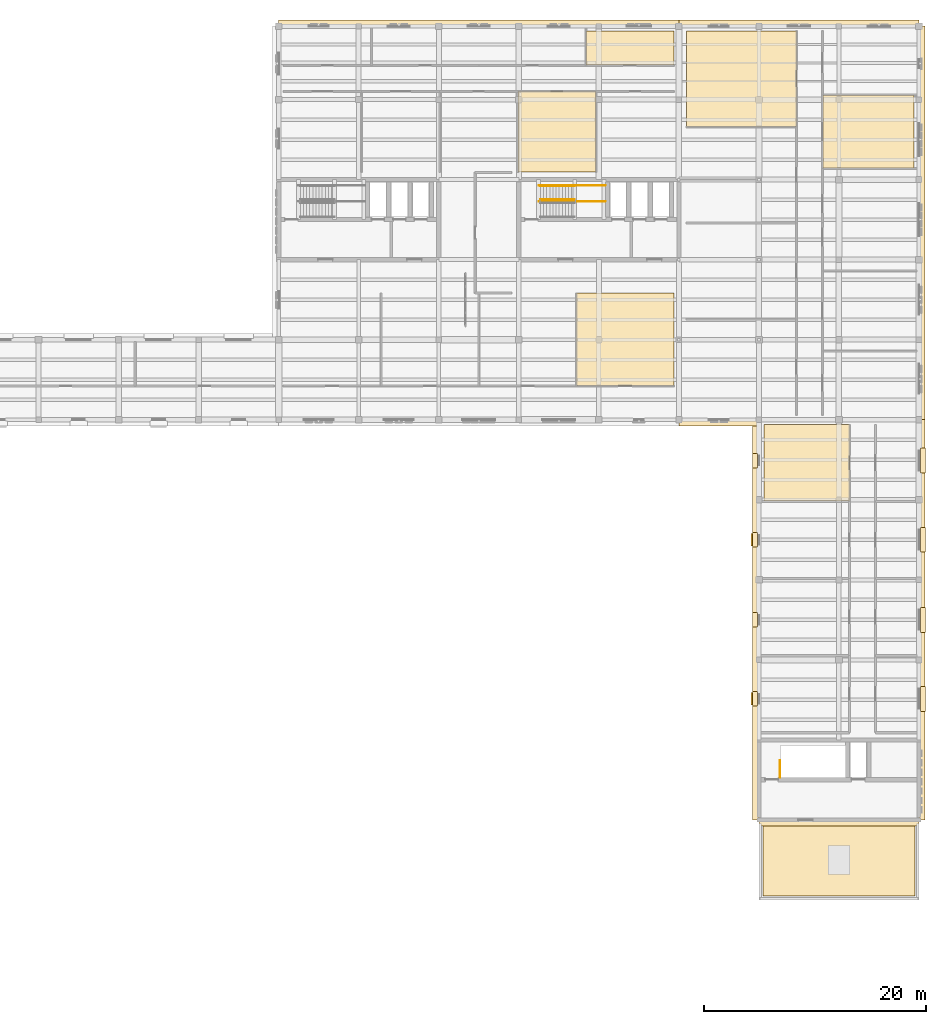
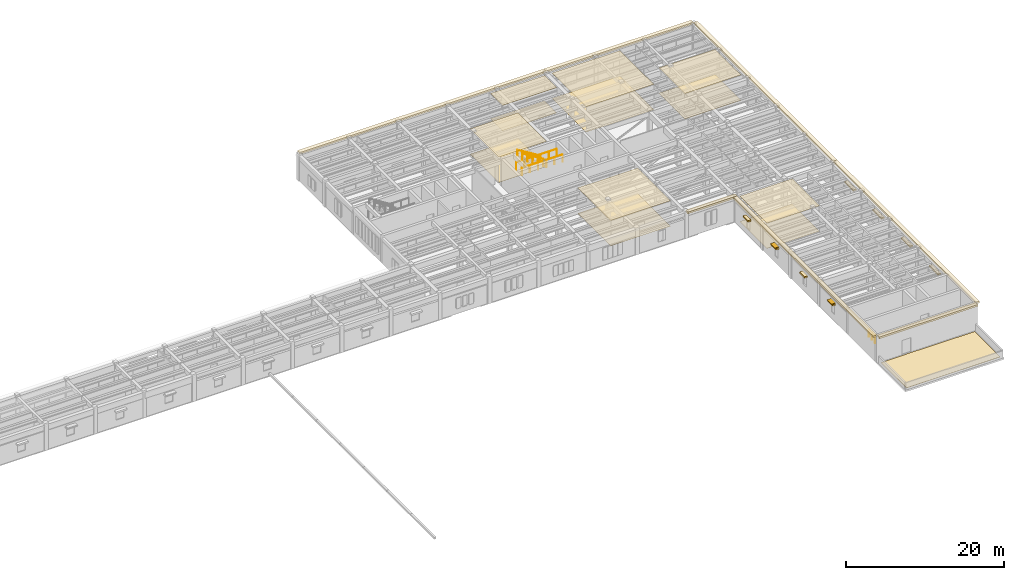
# One storey, part 27 of 27: 28 coverings, 5 railings, 2 shading devices.
"""IFC4 building model written with IfcOpenShell, lengths in metres."""

from ifc_helpers import new_model, si_unit, direction, frame, origin, origin_2d, place, context, subcontext, project, spatial, polyline, rectangle, circle, outline, extrude, material, layer, layer_set, type_object, element, save


model = new_model("IFC4")

# Units and contexts
model_context = context("Model", 3, precision=1e-05, world=origin(), true_north=direction((0.0, 1.0)))
body_context = subcontext(model_context, "Body", "Model", "MODEL_VIEW")
ifc_project = project(units=[si_unit("LENGTHUNIT", "METRE"), si_unit("AREAUNIT", "SQUARE_METRE"), si_unit("VOLUMEUNIT", "CUBIC_METRE"), si_unit("PLANEANGLEUNIT", "RADIAN"), si_unit("MASSUNIT", "GRAM", prefix="KILO")], contexts=[model_context])

# Site, building, storey
site_placement = place(None, origin())
site = spatial("IfcSite", under=ifc_project, at=site_placement, CompositionType="ELEMENT")
building_placement = place(site_placement, origin())
building = spatial("IfcBuilding", under=site, at=building_placement, Name="Mithqara Police Headquarters", CompositionType="ELEMENT")
storey_placement = place(building_placement, frame((0.0, 0.0, 18.0)))
storey = spatial("IfcBuildingStorey", under=building, at=storey_placement, Name="L04", CompositionType="ELEMENT", Elevation=18.0)

# Coverings
ifc_material_1 = material(Name="Acoustic mineral-fibre ceiling tile", Category="gypsum")
ifc_layer_1 = layer(ifc_material_1, 0.02490234375, Name="Acoustic mineral-fibre ceiling tile")
ifc_layer_set_1 = layer_set([ifc_layer_1], Name="Acoustic mineral-fibre ceiling tile")
covering_type_1 = type_object("IfcCoveringType", Name="ACOUSTIC CEILING TILE", PredefinedType="CEILING", material=ifc_layer_set_1)
covering_1_placement = place(storey_placement, frame((0.0, 0.0, 3.9150390625)))
element("IfcCovering", 1, at=covering_1_placement, inside=storey, type_object=covering_type_1, Name="Forensic Accounting Room Acoustic Ceiling", PredefinedType="CEILING", context=body_context, shape_type="SweptSolid", body=[
    extrude(outline(polyline([(130.135986328125, 100.8701171875), (137.1279296875, 100.8701171875), (137.1279296875, 108.1201171875), (130.135986328125, 108.1201171875), (130.135986328125, 100.8701171875)])), origin(), (0.0, 0.0, 1.0), 0.02490234375),
])
covering_2_placement = place(storey_placement, frame((0.0, 0.0, 3.9150390625)))
element("IfcCovering", 2, at=covering_2_placement, inside=storey, type_object=covering_type_1, Name="Financial Crime Investigation Office Acoustic Ceiling", PredefinedType="CEILING", context=body_context, shape_type="SweptSolid", body=[
    extrude(outline(polyline([(136.260009765625, 110.5), (144.159912109375, 110.5), (144.159912109375, 113.56005859375), (136.260009765625, 113.56005859375), (136.260009765625, 110.5)])), origin(), (0.0, 0.0, 1.0), 0.02490234375),
])
covering_3_placement = place(storey_placement, frame((0.0, 0.0, 3.9150390625)))
element("IfcCovering", 3, at=covering_3_placement, inside=storey, type_object=covering_type_1, Name="Forensic Accounting Room Acoustic Ceiling", PredefinedType="CEILING", context=body_context, shape_type="SweptSolid", body=[
    extrude(outline(polyline([(135.409912109375, 81.659912109375), (144.159912109375, 81.659912109375), (144.159912109375, 89.97998046875), (135.409912109375, 89.97998046875), (135.409912109375, 81.659912109375)])), origin(), (0.0, 0.0, 1.0), 0.02490234375),
])
covering_4_placement = place(storey_placement, frame((0.0, 0.0, 3.9150390625)))
element("IfcCovering", 4, at=covering_4_placement, inside=storey, type_object=covering_type_1, Name="Female Staff WC Acoustic Ceiling", PredefinedType="CEILING", context=body_context, shape_type="SweptSolid", body=[
    extrude(outline(polyline([(145.27001953125, 104.9599609375), (155.175048828125, 104.9599609375), (155.175048828125, 113.56005859375), (145.27001953125, 113.56005859375), (145.27001953125, 104.9599609375)])), origin(), (0.0, 0.0, 1.0), 0.02490234375),
])
covering_5_placement = place(storey_placement, frame((0.0, 0.0, 3.9150390625)))
element("IfcCovering", 5, at=covering_5_placement, inside=storey, type_object=covering_type_1, Name="Female Staff WC Acoustic Ceiling", PredefinedType="CEILING", context=body_context, shape_type="SweptSolid", body=[
    extrude(outline(polyline([(157.554931640625, 101.22998046875), (165.760009765625, 101.22998046875), (165.760009765625, 107.800048828125), (157.554931640625, 107.800048828125), (157.554931640625, 101.22998046875)])), origin(), (0.0, 0.0, 1.0), 0.02490234375),
])
covering_6_placement = place(storey_placement, frame((0.0, 0.0, 3.9150390625)))
element("IfcCovering", 6, at=covering_6_placement, inside=storey, type_object=covering_type_1, Name="Spectrometry Room Acoustic Ceiling", PredefinedType="CEILING", context=body_context, shape_type="SweptSolid", body=[
    extrude(outline(polyline([(152.239990234375, 71.26806640625), (159.929931640625, 71.26806640625), (159.929931640625, 78.159912109375), (152.239990234375, 78.159912109375), (152.239990234375, 71.26806640625)])), origin(), (0.0, 0.0, 1.0), 0.02490234375),
])
ifc_material_2 = material(Name="Limestone ashlar masonry, 45 MPa", Category="masonry")
ifc_layer_2 = layer(ifc_material_2, 0.320068359375, Name="Limestone ashlar masonry, 45 MPa")
ifc_layer_set_2 = layer_set([ifc_layer_2], Name="Limestone ashlar masonry, 45 MPa")
covering_type_2 = type_object("IfcCoveringType", Name="CORNICE LIMESTONE", PredefinedType="CLADDING", material=ifc_layer_set_2)
covering_7_placement = place(storey_placement, frame((151.52001953125, 60.60009765625, 3.919921875), z_axis=(0.0, 0.0, 1.0), x_axis=(0.0, 1.0, 0.0)))
element("IfcCovering", 7, at=covering_7_placement, inside=storey, type_object=covering_type_2, Name="L04 Projecting Ottoman Limestone Eaves Cornice 1", PredefinedType="CLADDING", context=body_context, shape_type="SweptSolid", body=[
    extrude(rectangle(XDim=36.0, YDim=0.56005859375, at=origin_2d()), origin(), (0.0, 0.0, 1.0), 0.280029296875),
])
covering_8_placement = place(storey_placement, frame((159.0, 42.320068359375, 3.919921875), z_axis=(0.0, 0.0, 1.0), x_axis=(1.0, 0.0, 0.0)))
element("IfcCovering", 8, at=covering_8_placement, inside=storey, type_object=covering_type_2, Name="L04 Projecting Ottoman Limestone Eaves Cornice 2", PredefinedType="CLADDING", context=body_context, shape_type="SweptSolid", body=[
    extrude(rectangle(XDim=14.39990234375, YDim=0.56005859375, at=origin_2d()), origin(), (0.0, 0.0, 1.0), 0.280029296875),
])
covering_9_placement = place(storey_placement, frame((166.47998046875, 60.60009765625, 3.919921875), z_axis=(0.0, 0.0, 1.0), x_axis=(0.0, 1.0, 0.0)))
element("IfcCovering", 9, at=covering_9_placement, inside=storey, type_object=covering_type_2, Name="L04 Projecting Ottoman Limestone Eaves Cornice 3", PredefinedType="CLADDING", context=body_context, shape_type="SweptSolid", body=[
    extrude(rectangle(XDim=36.0, YDim=0.56005859375, at=origin_2d()), origin(), (0.0, 0.0, 1.0), 0.280029296875),
])
covering_10_placement = place(storey_placement, frame((166.47998046875, 96.300048828125, 3.919921875), z_axis=(0.0, 0.0, 1.0), x_axis=(0.0, 1.0, 0.0)))
element("IfcCovering", 10, at=covering_10_placement, inside=storey, type_object=covering_type_2, Name="L04 Projecting Ottoman Limestone Eaves Cornice 4", PredefinedType="CLADDING", context=body_context, shape_type="SweptSolid", body=[
    extrude(rectangle(XDim=35.39990234375, YDim=0.56005859375, at=origin_2d()), origin(), (0.0, 0.0, 1.0), 0.280029296875),
])
covering_11_placement = place(storey_placement, frame((155.39990234375, 114.280029296875, 3.919921875), z_axis=(0.0, 0.0, 1.0), x_axis=(1.0, 0.0, 0.0)))
element("IfcCovering", 11, at=covering_11_placement, inside=storey, type_object=covering_type_2, Name="L04 Projecting Ottoman Limestone Eaves Cornice 5", PredefinedType="CLADDING", context=body_context, shape_type="SweptSolid", body=[
    extrude(rectangle(XDim=21.60009765625, YDim=0.56005859375, at=origin_2d()), origin(), (0.0, 0.0, 1.0), 0.280029296875),
])
covering_12_placement = place(storey_placement, frame((126.60009765625, 114.280029296875, 3.919921875), z_axis=(0.0, 0.0, 1.0), x_axis=(1.0, 0.0, 0.0)))
element("IfcCovering", 12, at=covering_12_placement, inside=storey, type_object=covering_type_2, Name="L04 Projecting Ottoman Limestone Eaves Cornice 6", PredefinedType="CLADDING", context=body_context, shape_type="SweptSolid", body=[
    extrude(rectangle(XDim=36.0, YDim=0.56005859375, at=origin_2d()), origin(), (0.0, 0.0, 1.0), 0.280029296875),
])
covering_13_placement = place(storey_placement, frame((148.199951171875, 78.320068359375, 3.919921875), z_axis=(0.0, 0.0, 1.0), x_axis=(1.0, 0.0, 0.0)))
element("IfcCovering", 13, at=covering_13_placement, inside=storey, type_object=covering_type_2, Name="L04 Projecting Ottoman Limestone Eaves Cornice 15", PredefinedType="CLADDING", context=body_context, shape_type="SweptSolid", body=[
    extrude(rectangle(XDim=7.199951171875, YDim=0.56005859375, at=origin_2d()), origin(), (0.0, 0.0, 1.0), 0.280029296875),
])

# Railing
ifc_material_3 = material(Name="Steel S355JR", Category="steel")
railing_type_1 = type_object("IfcRailingType", Name="HANDRAIL 920", PredefinedType="HANDRAIL", material=ifc_material_3)
railing_1_placement = place(storey_placement, frame((135.22998046875, 99.64990234375, 2.27490234375)))
element("IfcRailing", 14, at=railing_1_placement, inside=storey, type_object=railing_type_1, Name="L04 ST-02 stair handrail 2", PredefinedType="HANDRAIL", context=body_context, shape_type="SweptSolid", body=[
    extrude(circle(Radius=0.02392578125, at=origin_2d()), frame((0.0, 0.0, 0.8759765625), z_axis=(-0.847998304005, 0.0, 0.529998940003), x_axis=(0.0, -1.0, 0.0)), (0.0, 0.0, 1.0), 3.632080078125),
    extrude(circle(Radius=0.02099609375, at=origin_2d()), origin(), (0.0, 0.0, 1.0), 0.851806640625),
    extrude(circle(Radius=0.02099609375, at=origin_2d()), frame((-0.77001953125, 0.0, 0.481201171875)), (0.0, 0.0, 1.0), 0.851806640625),
    extrude(circle(Radius=0.02099609375, at=origin_2d()), frame((-1.5400390625, 0.0, 0.96240234375)), (0.0, 0.0, 1.0), 0.851806640625),
    extrude(circle(Radius=0.02099609375, at=origin_2d()), frame((-2.31005859375, 0.0, 1.44384765625)), (0.0, 0.0, 1.0), 0.851806640625),
    extrude(circle(Radius=0.02099609375, at=origin_2d()), frame((-3.080078125, 0.0, 1.925048828125)), (0.0, 0.0, 1.0), 0.851806640625),
])

# Shading devices
ifc_material_4 = material(Name="Bronze anodised aluminium 6063-T6", Category="aluminium")
shading_device_type = type_object("IfcShadingDeviceType", Name="SOLAR LOUVRE BRONZE", PredefinedType="JALOUSIE", material=ifc_material_4)
for number, where, z_axis, x_axis, name in (
    (15, (151.389892578125, 53.4951171875, 2.83984375), (0.0, 0.0, 1.0), (0.0, 1.0, 0.0), "L04 Window Solar Louvre Hood 1.1"),
    (16, (151.389892578125, 67.800048828125, 2.83984375), (0.0, 0.0, 1.0), (0.0, 1.0, 0.0), "L04 Window Solar Louvre Hood 1.3"),
):
    element("IfcShadingDevice", number, at=place(storey_placement, frame(where, z_axis=z_axis, x_axis=x_axis)), inside=storey, type_object=shading_device_type, Name=name, PredefinedType="JALOUSIE", context=body_context, shape_type="SweptSolid", body=[
        extrude(rectangle(XDim=1.14990234375, YDim=0.60009765625, at=origin_2d()), origin(), (0.0, 0.0, 1.0), 0.10009765625),
    ])

# Railings
railing_type_2 = type_object("IfcRailingType", Name="STAIR GUARD 1120", PredefinedType="GUARDRAIL", material=ifc_material_3)
railing_2_placement = place(storey_placement, frame((135.22998046875, 98.39990234375, 2.27490234375)))
element("IfcRailing", 17, at=railing_2_placement, inside=storey, type_object=railing_type_2, Name="L04 ST-02 stair guard 3", PredefinedType="GUARDRAIL", context=body_context, shape_type="SweptSolid", body=[
    extrude(circle(Radius=0.02392578125, at=origin_2d()), frame((0.0, 0.0, 1.076171875), z_axis=(-0.847998304005, 0.0, 0.529998940003), x_axis=(0.0, -1.0, 0.0)), (0.0, 0.0, 1.0), 3.632080078125),
    extrude(circle(Radius=0.02099609375, at=origin_2d()), origin(), (0.0, 0.0, 1.0), 1.052001953125),
    extrude(circle(Radius=0.02099609375, at=origin_2d()), frame((-0.77001953125, 0.0, 0.481201171875)), (0.0, 0.0, 1.0), 1.052001953125),
    extrude(circle(Radius=0.02099609375, at=origin_2d()), frame((-1.5400390625, 0.0, 0.96240234375)), (0.0, 0.0, 1.0), 1.052001953125),
    extrude(circle(Radius=0.02099609375, at=origin_2d()), frame((-2.31005859375, 0.0, 1.44384765625)), (0.0, 0.0, 1.0), 1.052001953125),
    extrude(circle(Radius=0.02099609375, at=origin_2d()), frame((-3.080078125, 0.0, 1.925048828125)), (0.0, 0.0, 1.0), 1.052001953125),
])
for number, where, name in (
    (18, (132.0, 98.25, 2.10009765625), "L04 ST-02 Half-Landing Guard IN"),
    (19, (132.0, 99.679931640625, 2.10009765625), "L04 ST-02 Half-Landing Guard OUT"),
):
    element("IfcRailing", number, at=place(storey_placement, frame(where)), inside=storey, type_object=railing_type_2, Name=name, PredefinedType="GUARDRAIL", context=body_context, shape_type="SweptSolid", body=[
        extrude(circle(Radius=0.02392578125, at=origin_2d()), frame((0.0, 0.0, 1.09619140625), z_axis=(1.0, 0.0, 0.0), x_axis=(0.0, 1.0, 0.0)), (0.0, 0.0, 1.0), 5.97998046875),
        extrude(circle(Radius=0.02099609375, at=origin_2d()), origin(), (0.0, 0.0, 1.0), 1.072021484375),
        extrude(circle(Radius=0.02099609375, at=origin_2d()), frame((1.196044921875, 0.0, 0.0)), (0.0, 0.0, 1.0), 1.072021484375),
        extrude(circle(Radius=0.02099609375, at=origin_2d()), frame((2.39208984375, 0.0, 0.0)), (0.0, 0.0, 1.0), 1.072021484375),
        extrude(circle(Radius=0.02099609375, at=origin_2d()), frame((3.587890625, 0.0, 0.0)), (0.0, 0.0, 1.0), 1.072021484375),
        extrude(circle(Radius=0.02099609375, at=origin_2d()), frame((4.783935546875, 0.0, 0.0)), (0.0, 0.0, 1.0), 1.072021484375),
        extrude(circle(Radius=0.02099609375, at=origin_2d()), frame((5.97998046875, 0.0, 0.0)), (0.0, 0.0, 1.0), 1.072021484375),
    ])
railing_3_placement = place(storey_placement, frame((153.699951171875, 46.39990234375, 0.0)))
element("IfcRailing", 20, at=railing_3_placement, inside=storey, type_object=railing_type_2, Name="L04 ST-04 top well guard 1", PredefinedType="GUARDRAIL", context=body_context, shape_type="SweptSolid", body=[
    extrude(circle(Radius=0.02392578125, at=origin_2d()), frame((0.0, 0.0, 1.076171875), z_axis=(0.0, 1.0, 0.0), x_axis=(-1.0, 0.0, 0.0)), (0.0, 0.0, 1.0), 1.550048828125),
    extrude(circle(Radius=0.02099609375, at=origin_2d()), origin(), (0.0, 0.0, 1.0), 1.052001953125),
    extrude(circle(Radius=0.02099609375, at=origin_2d()), frame((0.0, 0.77490234375, 0.0)), (0.0, 0.0, 1.0), 1.052001953125),
    extrude(circle(Radius=0.02099609375, at=origin_2d()), frame((0.0, 1.550048828125, 0.0)), (0.0, 0.0, 1.0), 1.052001953125),
])

# Coverings
ifc_material_5 = material(Name="Standing seam zinc-aluminium roofing", Category="aluminium")
ifc_layer_3 = layer(ifc_material_5, 0.0400390625, Name="Standing seam zinc-aluminium roofing")
ifc_layer_set_3 = layer_set([ifc_layer_3], Name="Standing seam zinc-aluminium roofing")
covering_type_3 = type_object("IfcCoveringType", Name="STANDING SEAM ROOFING", PredefinedType="ROOFING", material=ifc_layer_set_3)
covering_14_placement = place(storey_placement, origin())
element("IfcCovering", 21, at=covering_14_placement, inside=storey, type_object=covering_type_3, Name="L04 Insulated Roof Waterproofing ROOF-L03-01", PredefinedType="ROOFING", context=body_context, shape_type="SweptSolid", body=[
    extrude(outline(polyline([(157.681884765625, 42.24951171875), (157.68701171875, 42.247802734375), (157.688720703125, 42.2470703125), (157.705078125, 42.242431640625), (157.70703125, 42.241943359375), (157.741455078125, 42.234619140625), (157.743408203125, 42.234375), (157.780517578125, 42.23046875), (157.782470703125, 42.23046875), (157.800048828125, 42.22998046875), (165.85009765625, 42.22998046875), (165.85009765625, 35.75), (152.14990234375, 35.75), (152.14990234375, 42.22998046875), (153.60009765625, 42.22998046875), (153.601806640625, 42.22998046875), (157.681884765625, 42.24951171875)])), origin(), (0.0, 0.0, 1.0), 0.0400390625),
])
ifc_material_6 = material(Name="Polished limestone terrazzo flooring", Category="masonry")
ifc_layer_4 = layer(ifc_material_6, 0.02001953125, Name="Polished limestone terrazzo flooring")
ifc_layer_set_4 = layer_set([ifc_layer_4], Name="Polished limestone terrazzo flooring")
covering_type_4 = type_object("IfcCoveringType", Name="TERRAZZO FLOOR FINISH", PredefinedType="FLOORING", material=ifc_layer_set_4)
covering_15_placement = place(storey_placement, origin())
element("IfcCovering", 22, at=covering_15_placement, inside=storey, type_object=covering_type_4, Name="Forensic Accounting Room Terrazzo Floor Finish", PredefinedType="FLOORING", context=body_context, shape_type="SweptSolid", body=[
    extrude(outline(polyline([(130.135986328125, 100.8701171875), (137.1279296875, 100.8701171875), (137.1279296875, 108.1201171875), (130.135986328125, 108.1201171875), (130.135986328125, 100.8701171875)])), origin(), (0.0, 0.0, 1.0), 0.02001953125),
])
covering_16_placement = place(storey_placement, origin())
element("IfcCovering", 23, at=covering_16_placement, inside=storey, type_object=covering_type_4, Name="Financial Crime Investigation Office Terrazzo Floor Finish", PredefinedType="FLOORING", context=body_context, shape_type="SweptSolid", body=[
    extrude(outline(polyline([(136.260009765625, 110.5), (144.159912109375, 110.5), (144.159912109375, 113.56005859375), (136.260009765625, 113.56005859375), (136.260009765625, 110.5)])), origin(), (0.0, 0.0, 1.0), 0.02001953125),
])
covering_17_placement = place(storey_placement, origin())
element("IfcCovering", 24, at=covering_17_placement, inside=storey, type_object=covering_type_4, Name="Forensic Accounting Room Terrazzo Floor Finish", PredefinedType="FLOORING", context=body_context, shape_type="SweptSolid", body=[
    extrude(outline(polyline([(135.409912109375, 81.659912109375), (144.159912109375, 81.659912109375), (144.159912109375, 89.97998046875), (135.409912109375, 89.97998046875), (135.409912109375, 81.659912109375)])), origin(), (0.0, 0.0, 1.0), 0.02001953125),
])
covering_18_placement = place(storey_placement, origin())
element("IfcCovering", 25, at=covering_18_placement, inside=storey, type_object=covering_type_4, Name="Female Staff WC Terrazzo Floor Finish", PredefinedType="FLOORING", context=body_context, shape_type="SweptSolid", body=[
    extrude(outline(polyline([(145.27001953125, 104.9599609375), (155.175048828125, 104.9599609375), (155.175048828125, 113.56005859375), (145.27001953125, 113.56005859375), (145.27001953125, 104.9599609375)])), origin(), (0.0, 0.0, 1.0), 0.02001953125),
])
covering_19_placement = place(storey_placement, origin())
element("IfcCovering", 26, at=covering_19_placement, inside=storey, type_object=covering_type_4, Name="Female Staff WC Terrazzo Floor Finish", PredefinedType="FLOORING", context=body_context, shape_type="SweptSolid", body=[
    extrude(outline(polyline([(157.554931640625, 101.22998046875), (165.760009765625, 101.22998046875), (165.760009765625, 107.800048828125), (157.554931640625, 107.800048828125), (157.554931640625, 101.22998046875)])), origin(), (0.0, 0.0, 1.0), 0.02001953125),
])
covering_20_placement = place(storey_placement, origin())
element("IfcCovering", 27, at=covering_20_placement, inside=storey, type_object=covering_type_4, Name="Spectrometry Room Terrazzo Floor Finish", PredefinedType="FLOORING", context=body_context, shape_type="SweptSolid", body=[
    extrude(outline(polyline([(152.239990234375, 71.26806640625), (159.929931640625, 71.26806640625), (159.929931640625, 78.159912109375), (152.239990234375, 78.159912109375), (152.239990234375, 71.26806640625)])), origin(), (0.0, 0.0, 1.0), 0.02001953125),
])
ifc_layer_5 = layer(ifc_material_2, 0.239990234375, Name="Limestone ashlar masonry, 45 MPa")
ifc_layer_set_5 = layer_set([ifc_layer_5], Name="Limestone ashlar masonry, 45 MPa")
covering_type_5 = type_object("IfcCoveringType", Name="WINDOW HOOD LIMESTONE", PredefinedType="CLADDING", material=ifc_layer_set_5)
for number, where, z_axis, x_axis, name in (
    (28, (151.449951171875, 53.4951171875, 2.6201171875), (0.0, 0.0, 1.0), (0.0, 1.0, 0.0), "L04 Limestone Window Architrave Hood 1.1"),
    (29, (151.449951171875, 60.60009765625, 2.6201171875), (0.0, 0.0, 1.0), (0.0, 1.0, 0.0), "L04 Limestone Window Architrave Hood 1.2"),
    (30, (151.449951171875, 67.800048828125, 2.6201171875), (0.0, 0.0, 1.0), (0.0, 1.0, 0.0), "L04 Limestone Window Architrave Hood 1.3"),
    (31, (151.449951171875, 74.919921875, 2.6201171875), (0.0, 0.0, 1.0), (0.0, 1.0, 0.0), "L04 Limestone Window Architrave Hood 1.4"),
):
    element("IfcCovering", number, at=place(storey_placement, frame(where, z_axis=z_axis, x_axis=x_axis)), inside=storey, type_object=covering_type_5, Name=name, PredefinedType="CLADDING", context=body_context, shape_type="SweptSolid", body=[
        extrude(rectangle(XDim=1.2900390625, YDim=0.4599609375, at=origin_2d()), origin(), (0.0, 0.0, 1.0), 0.219970703125),
    ])
for number, where, z_axis, x_axis, name in (
    (32, (166.550048828125, 53.4951171875, 2.3701171875), (0.0, 0.0, 1.0), (0.0, 1.0, 0.0), "L04 Limestone Window Architrave Hood 3.1"),
    (33, (166.550048828125, 60.60009765625, 2.3701171875), (0.0, 0.0, 1.0), (0.0, 1.0, 0.0), "L04 Limestone Window Architrave Hood 3.2"),
    (34, (166.550048828125, 67.800048828125, 2.3701171875), (0.0, 0.0, 1.0), (0.0, 1.0, 0.0), "L04 Limestone Window Architrave Hood 3.3"),
    (35, (166.550048828125, 74.919921875, 2.3701171875), (0.0, 0.0, 1.0), (0.0, 1.0, 0.0), "L04 Limestone Window Architrave Hood 3.4"),
):
    element("IfcCovering", number, at=place(storey_placement, frame(where, z_axis=z_axis, x_axis=x_axis)), inside=storey, type_object=covering_type_5, Name=name, PredefinedType="CLADDING", context=body_context, shape_type="SweptSolid", body=[
        extrude(rectangle(XDim=2.239990234375, YDim=0.4599609375, at=origin_2d()), origin(), (0.0, 0.0, 1.0), 0.219970703125),
    ])

save(model, "model.ifc")
